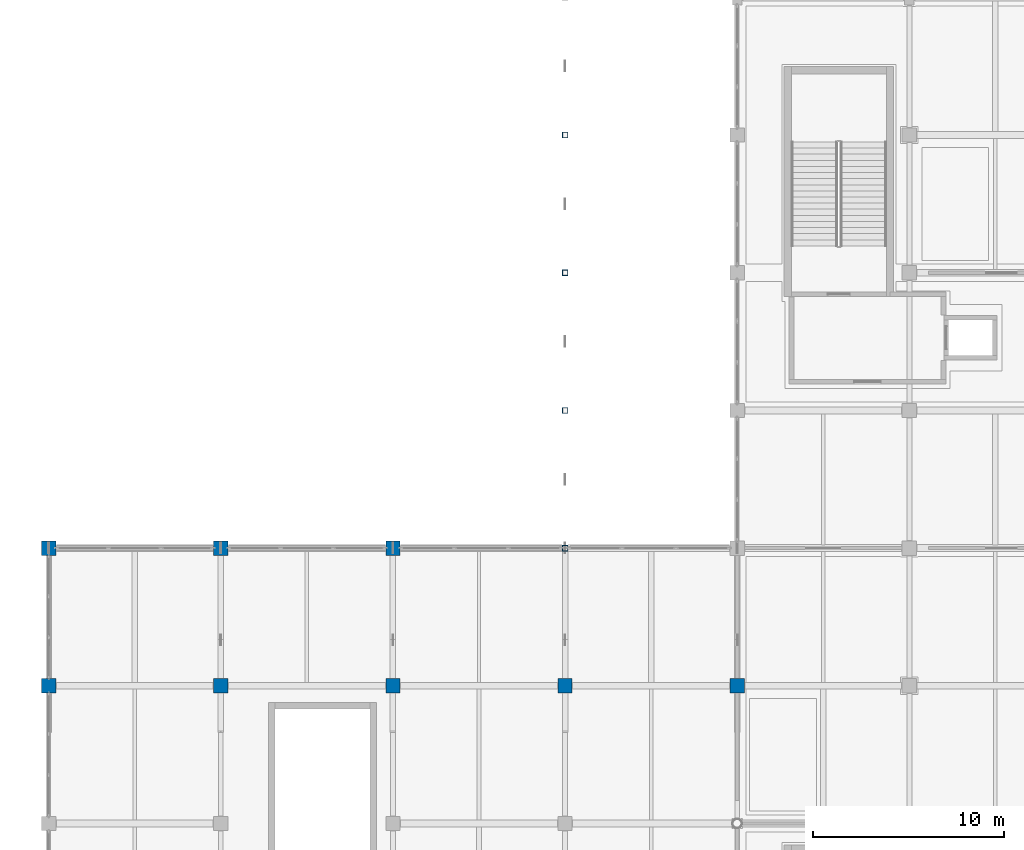
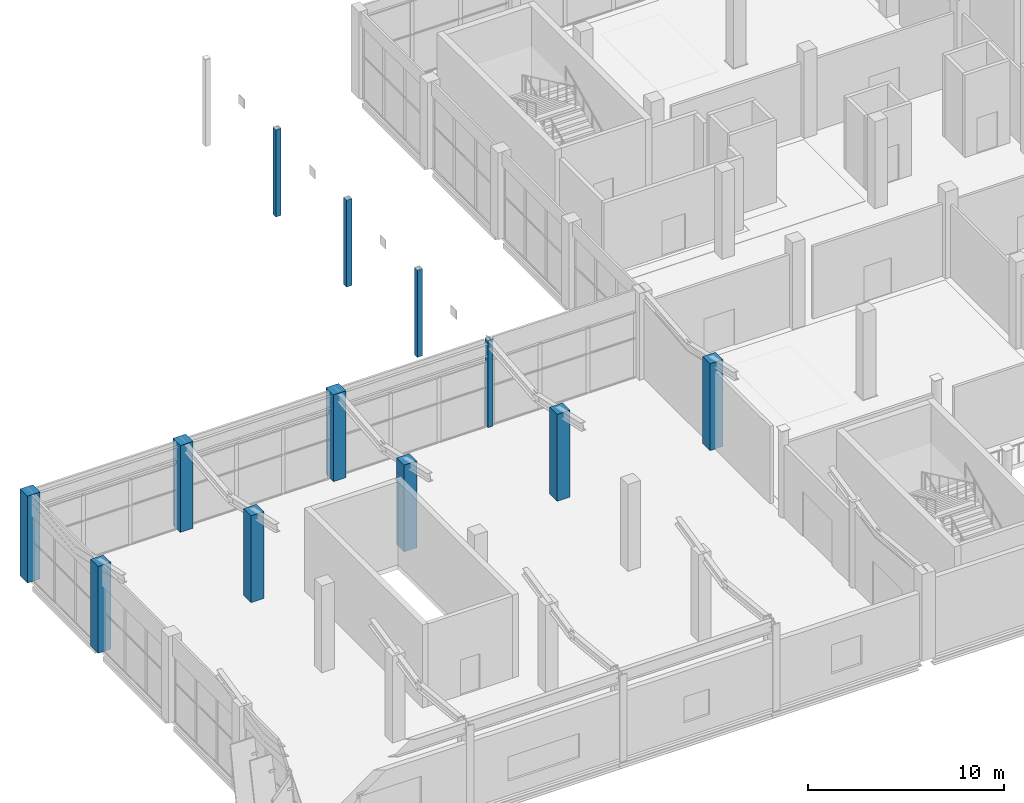
# One storey, part 10 of 189: 12 columns.
"""IFC4 building model written with IfcOpenShell, lengths in metres."""

from ifc_helpers import new_model, si_unit, direction, frame, origin, origin_2d, place, context, subcontext, project, spatial, rectangle, hollow_rectangle, extrude, material, material_profile, profile_set, type_object, element, save


model = new_model("IFC4")

# Units and contexts
model_context = context("Model", 3, precision=1e-05, world=origin(), true_north=direction((0.0, 1.0)))
body_context = subcontext(model_context, "Body", "Model", "MODEL_VIEW")
ifc_project = project(units=[si_unit("LENGTHUNIT", "METRE"), si_unit("AREAUNIT", "SQUARE_METRE"), si_unit("VOLUMEUNIT", "CUBIC_METRE"), si_unit("PLANEANGLEUNIT", "RADIAN"), si_unit("MASSUNIT", "GRAM", prefix="KILO")], contexts=[model_context])

# Site, building, storey
site_placement = place(None, origin())
site = spatial("IfcSite", under=ifc_project, at=site_placement, CompositionType="ELEMENT")
building_placement = place(site_placement, origin())
building = spatial("IfcBuilding", under=site, at=building_placement, Name="Celestram Park Convention Centre", CompositionType="ELEMENT")
storey_placement = place(building_placement, frame((0.0, 0.0, 5.39990234375)))
storey = spatial("IfcBuildingStorey", under=building, at=storey_placement, Name="L01", CompositionType="ELEMENT", Elevation=5.39990234375)

# Columns
ifc_material_1 = material(Name="Steel ASTM A500 Grade C", Category="steel")
ifc_material_profile_1 = material_profile(ifc_material_1, hollow_rectangle(XDim=0.300048828125, YDim=0.300048828125, WallThickness=0.01611328125, at=origin_2d()), Name="HSS300X300X16")
ifc_profile_set_1 = profile_set([ifc_material_profile_1], Name="Steel ASTM A500 Grade C")
column_type_1 = type_object("IfcColumnType", Name="STR-COL-HSS300", PredefinedType="COLUMN", material=ifc_profile_set_1)
for number, where, z_axis, x_axis, name in (
    (1, (27.0, 136.800048828125, 0.0), (0.0, 0.0, 1.0), (1.0, 0.0, 0.0), "Column CN-L01-035"),
    (2, (27.0, 144.0, 0.0), (0.0, 0.0, 1.0), (1.0, 0.0, 0.0), "Column CN-L01-036"),
    (3, (27.0, 151.199951171875, 0.0), (0.0, 0.0, 1.0), (1.0, 0.0, 0.0), "Column CN-L01-037"),
    (4, (27.0, 158.39990234375, 0.0), (0.0, 0.0, 1.0), (1.0, 0.0, 0.0), "Column CN-L01-038"),
):
    element("IfcColumn", number, at=place(storey_placement, frame(where, z_axis=z_axis, x_axis=x_axis)), inside=storey, type_object=column_type_1, Name=name, PredefinedType="COLUMN", context=body_context, shape_type="SweptSolid", body=[
        extrude(hollow_rectangle(XDim=0.300048828125, YDim=0.300048828125, WallThickness=0.01611328125, at=origin_2d()), origin(), (0.0, 0.0, 1.0), 5.400146484375),
    ])
ifc_material_2 = material(Name="Concrete C40/50", Category="concrete")
ifc_material_profile_2 = material_profile(ifc_material_2, rectangle(XDim=0.75, YDim=0.75, at=origin_2d()), Name="RC750X750")
ifc_profile_set_2 = profile_set([ifc_material_profile_2], Name="Concrete C40/50")
column_type_2 = type_object("IfcColumnType", Name="STR-COL-RC750", PredefinedType="COLUMN", material=ifc_profile_set_2)
for number, where, z_axis, x_axis, name in (
    (5, (0.0, 129.60009765625, 0.0), (0.0, 0.0, 1.0), (1.0, 0.0, 0.0), "Column CN-L01-016"),
    (6, (0.0, 136.800048828125, 0.0), (0.0, 0.0, 1.0), (1.0, 0.0, 0.0), "Column CN-L01-017"),
    (7, (9.0, 129.60009765625, 0.0), (0.0, 0.0, 1.0), (1.0, 0.0, 0.0), "Column CN-L01-022"),
    (8, (9.0, 136.800048828125, 0.0), (0.0, 0.0, 1.0), (1.0, 0.0, 0.0), "Column CN-L01-023"),
    (9, (18.0, 129.60009765625, 0.0), (0.0, 0.0, 1.0), (1.0, 0.0, 0.0), "Column CN-L01-028"),
    (10, (18.0, 136.800048828125, 0.0), (0.0, 0.0, 1.0), (1.0, 0.0, 0.0), "Column CN-L01-029"),
    (11, (27.0, 129.60009765625, 0.0), (0.0, 0.0, 1.0), (1.0, 0.0, 0.0), "Column CN-L01-034"),
    (12, (36.0, 129.60009765625, 0.0), (0.0, 0.0, 1.0), (1.0, 0.0, 0.0), "Column CN-L01-044"),
):
    element("IfcColumn", number, at=place(storey_placement, frame(where, z_axis=z_axis, x_axis=x_axis)), inside=storey, type_object=column_type_2, Name=name, PredefinedType="COLUMN", context=body_context, shape_type="SweptSolid", body=[
        extrude(rectangle(XDim=0.75, YDim=0.75, at=origin_2d()), origin(), (0.0, 0.0, 1.0), 5.400146484375),
    ])

save(model, "model.ifc")
